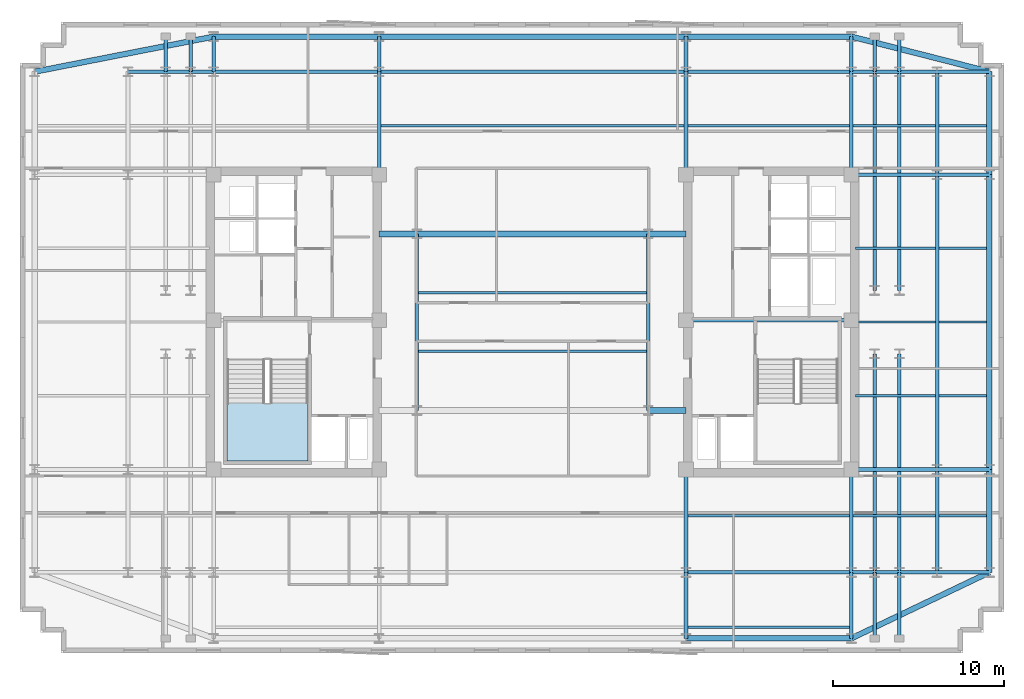
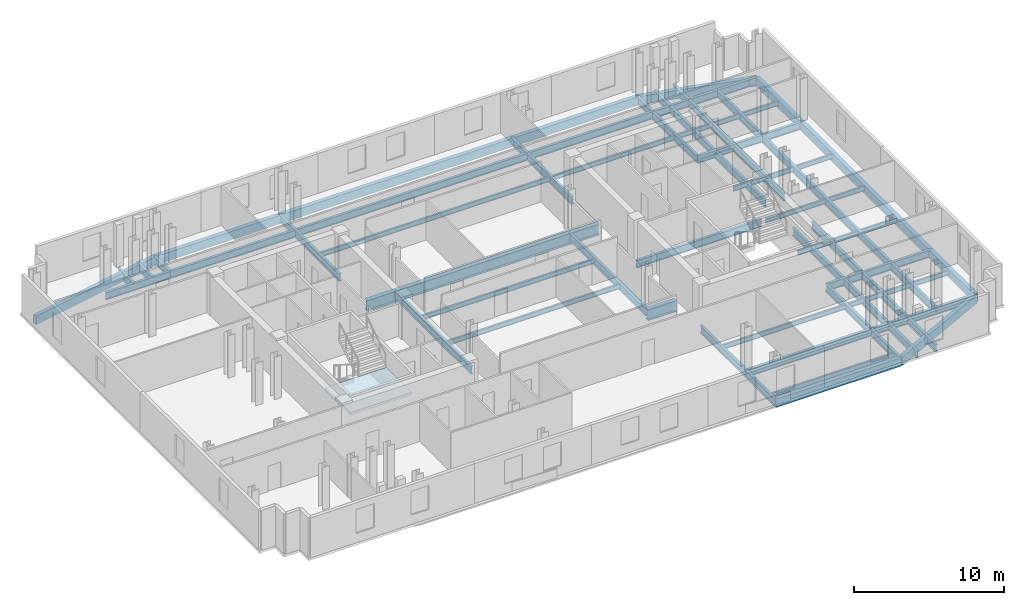
# One storey, part 2 of 9: 70 beams, 1 slab, 1 element without a shape of its own.
"""IFC4 building model written with IfcOpenShell, lengths in metres."""

import ifcopenshell
import ifcopenshell.guid

model = None  # the IFC model being written
_history = None  # IfcOwnerHistory: only IFC2X3 demands one
_inside = {}  # id of a spatial element -> (the spatial element, [elements in it])
_under = {}  # id of a project, library or spatial element -> (it, [spatial elements below it])
_declared = {}  # id of a project -> (the project, [libraries it declares])
_typed = {}  # id of a type object -> (the type object, [elements of that type])
_made_of = {}  # id of a material, layer set ... -> (it, [elements and type objects made of it])


def new_model(schema):
    """Start an empty IFC model of exactly this schema.

    Asked for "IFC4X3", IfcOpenShell would pick the latest addendum, in which some entities
    have other attributes; the version numbers below select the first issue.
    IFC2X3 requires an IfcOwnerHistory on every rooted entity: one is made here for all.
    """
    global model, _history
    if schema == "IFC4X3":
        model = ifcopenshell.file(schema_version=(4, 3, 0, 0))
    else:
        model = ifcopenshell.file(schema=schema)
    _inside.clear()
    _under.clear()
    _declared.clear()
    _typed.clear()
    _made_of.clear()
    _history = None
    if model.schema == "IFC2X3":
        org = make("IfcOrganization", Name="unknown")
        user = make(
            "IfcPersonAndOrganization",
            ThePerson=make("IfcPerson", FamilyName="unknown"),
            TheOrganization=org,
        )
        app = make(
            "IfcApplication",
            ApplicationDeveloper=org,
            Version="unknown",
            ApplicationFullName="unknown",
            ApplicationIdentifier="unknown",
        )
        _history = make(
            "IfcOwnerHistory",
            OwningUser=user,
            OwningApplication=app,
            ChangeAction="ADDED",
            CreationDate=0,
        )
    return model


def make(cls, **values):
    """One entity of the class cls with the attributes given. An attribute that is None is left unset."""
    return model.create_entity(
        cls, **{name: value for name, value in values.items() if value is not None}
    )


def rooted(cls, **values):
    """An entity with a GlobalId (a new one), such as an element, a storey or a relation."""
    return make(cls, GlobalId=ifcopenshell.guid.new(), OwnerHistory=_history, **values)


def si_unit(unit_type, name, prefix=None):
    """IfcSIUnit, for example si_unit("LENGTHUNIT", "METRE", prefix="MILLI")."""
    return make("IfcSIUnit", UnitType=unit_type, Prefix=prefix, Name=name)


def assignment(units):
    """IfcUnitAssignment: the units of a project."""
    return None if units is None else make("IfcUnitAssignment", Units=units)


def point(xyz):
    """IfcCartesianPoint."""
    return None if xyz is None else make("IfcCartesianPoint", Coordinates=xyz)


def direction(xyz):
    """IfcDirection."""
    return None if xyz is None else make("IfcDirection", DirectionRatios=xyz)


def frame(location, z_axis=None, x_axis=None):
    """IfcAxis2Placement3D, a coordinate frame: its origin and axes. An axis left out is left unset."""
    return make(
        "IfcAxis2Placement3D",
        Location=point(location),
        Axis=direction(z_axis),
        RefDirection=direction(x_axis),
    )


def frame_2d(location, x_axis=None):
    """IfcAxis2Placement2D, a coordinate frame in the plane: its origin and x axis."""
    return make(
        "IfcAxis2Placement2D", Location=point(location), RefDirection=direction(x_axis)
    )


def origin():
    """The frame at (0, 0, 0) with its axes left unset."""
    return frame((0.0, 0.0, 0.0))


def origin_2d():
    """The frame at (0, 0) in the plane with its x axis left unset."""
    return frame_2d((0.0, 0.0))


def place(relative_to, where):
    """IfcLocalPlacement: puts the frame where relative to a parent placement (None: the world)."""
    return make(
        "IfcLocalPlacement", PlacementRelTo=relative_to, RelativePlacement=where
    )


def context(
    kind, dimensions, precision=None, world=None, true_north=None, identifier=None
):
    """IfcGeometricRepresentationContext, for example the 3D "Model" context."""
    return make(
        "IfcGeometricRepresentationContext",
        ContextIdentifier=identifier,
        ContextType=kind,
        CoordinateSpaceDimension=dimensions,
        Precision=precision,
        WorldCoordinateSystem=world,
        TrueNorth=true_north,
    )


def subcontext(parent, identifier, kind, view, scale=None):
    """IfcGeometricRepresentationSubContext, for example "Body" below "Model"."""
    return make(
        "IfcGeometricRepresentationSubContext",
        ContextIdentifier=identifier,
        ContextType=kind,
        ParentContext=parent,
        TargetScale=scale,
        TargetView=view,
    )


def project(units=None, contexts=None):
    """IfcProject with its units and contexts."""
    return rooted(
        "IfcProject",
        Name="project",
        RepresentationContexts=contexts,
        UnitsInContext=assignment(units),
    )


def spatial(cls, under=None, at=None, **own):
    """A site, building, storey or space (cls), placed at a placement, below another one or the project."""
    s = rooted(cls, ObjectPlacement=at, **own)
    if under is not None:
        _under.setdefault(under.id(), (under, []))[1].append(s)
    return s


def polyline(points):
    """IfcPolyline through the points."""
    return make("IfcPolyline", Points=[point(p) for p in points])


def profile(cls, at=None, kind="AREA", **sizes):
    """A parametric profile (cls). Its sizes go by their IFC names, for example OverallWidth=200.0."""
    return make(cls, ProfileType=kind, Position=at, **sizes)


def rectangle(**sizes):
    """IfcRectangleProfileDef."""
    return profile("IfcRectangleProfileDef", **sizes)


def i_section(**sizes):
    """IfcIShapeProfileDef."""
    return profile("IfcIShapeProfileDef", **sizes)


def outline(outer, holes=None, kind="AREA"):
    """IfcArbitraryClosedProfileDef: a profile drawn as a closed curve; with holes, ...WithVoids."""
    if holes is None:
        return make("IfcArbitraryClosedProfileDef", ProfileType=kind, OuterCurve=outer)
    return make(
        "IfcArbitraryProfileDefWithVoids",
        ProfileType=kind,
        OuterCurve=outer,
        InnerCurves=holes,
    )


def extrude(swept, where, along, depth):
    """IfcExtrudedAreaSolid: the profile swept, set in the frame where, extruded along a direction by depth."""
    return make(
        "IfcExtrudedAreaSolid",
        SweptArea=swept,
        Position=where,
        ExtrudedDirection=direction(along),
        Depth=depth,
    )


def shape(context_of_items, identifier, shape_type, items):
    """IfcShapeRepresentation: the items that make up one representation, for example the "Body"."""
    return make(
        "IfcShapeRepresentation",
        ContextOfItems=context_of_items,
        RepresentationIdentifier=identifier,
        RepresentationType=shape_type,
        Items=items,
    )


def material(Name=None, Category=None):
    """IfcMaterial."""
    return make("IfcMaterial", Name=Name, Category=Category)


def layer(
    of_material, thickness, ventilated=None, Name=None, Category=None, Priority=None
):
    """IfcMaterialLayer: one layer of a wall or slab, of a material (None: an air gap)."""
    return make(
        "IfcMaterialLayer",
        Material=of_material,
        LayerThickness=thickness,
        IsVentilated=ventilated,
        Name=Name,
        Category=Category,
        Priority=Priority,
    )


def layer_set(layers, Name=None):
    """IfcMaterialLayerSet."""
    return make("IfcMaterialLayerSet", MaterialLayers=layers, LayerSetName=Name)


def material_profile(
    of_material, cross_section, Name=None, Category=None, Priority=None
):
    """IfcMaterialProfile: a cross section and its material."""
    return make(
        "IfcMaterialProfile",
        Name=Name,
        Material=of_material,
        Profile=cross_section,
        Priority=Priority,
        Category=Category,
    )


def profile_set(profiles, Name=None, composite=None):
    """IfcMaterialProfileSet."""
    return make(
        "IfcMaterialProfileSet",
        Name=Name,
        MaterialProfiles=profiles,
        CompositeProfile=composite,
    )


def made_of(thing, what):
    """Note that an element or type object is made of a material, layer set ...; save() writes the relation."""
    if what is not None:
        _made_of.setdefault(what.id(), (what, []))[1].append(thing)
    return thing


def type_object(cls, material=None, **own):
    """A type object (cls), such as IfcWallType, which elements share."""
    return made_of(rooted(cls, **own), material)


def element(
    cls,
    number,
    at=None,
    inside=None,
    cuts=None,
    type_object=None,
    material=None,
    context=None,
    identifier="Body",
    shape_type=None,
    held_by="IfcProductDefinitionShape",
    body=None,
    shapes=None,
    **own,
):
    """One element of the class cls, such as IfcWall. Its Tag is "e" and its number.

    at: its placement. inside: the storey or other place that contains it. cuts: it is an
    opening in that element (IfcRelVoidsElement). A single representation is given by context,
    identifier, shape_type and body (its items); several are given by shapes. held_by: the class
    of the entity that holds the representations. save() writes the other relations.
    """
    e = rooted(cls, Tag="e%d" % number, ObjectPlacement=at, **own)
    if body is not None:
        shapes = [shape(context, identifier, shape_type, body)]
    if shapes is not None:
        e.Representation = make(held_by, Representations=shapes)
    if inside is not None:
        _inside.setdefault(inside.id(), (inside, []))[1].append(e)
    if cuts is not None:
        rooted(
            "IfcRelVoidsElement", RelatingBuildingElement=cuts, RelatedOpeningElement=e
        )
    if type_object is not None:
        _typed.setdefault(type_object.id(), (type_object, []))[1].append(e)
    return made_of(e, material)


def aggregate(whole, parts):
    """IfcRelAggregates: a whole, such as a stair, and the parts it consists of."""
    return rooted("IfcRelAggregates", RelatingObject=whole, RelatedObjects=parts)


def save(model, path):
    """Write the relations noted so far, then the file.

    IfcRelAggregates (storeys below a building ...), IfcRelContainedInSpatialStructure (elements
    in a storey), IfcRelDefinesByType, IfcRelAssociatesMaterial and IfcRelDeclares: one each for
    every whole, place, type object, material and project.
    """
    for whole, parts in _under.values():
        aggregate(whole, parts)
    for where, things in _inside.values():
        rooted(
            "IfcRelContainedInSpatialStructure",
            RelatedElements=things,
            RelatingStructure=where,
        )
    for kind, things in _typed.values():
        rooted("IfcRelDefinesByType", RelatedObjects=things, RelatingType=kind)
    for what, things in _made_of.values():
        rooted("IfcRelAssociatesMaterial", RelatedObjects=things, RelatingMaterial=what)
    for by, libraries in _declared.values():
        rooted("IfcRelDeclares", RelatingContext=by, RelatedDefinitions=libraries)
    model.write(path)


model = new_model("IFC4")

# Units and contexts
model_context = context("Model", 3, precision=1e-05, world=origin(), true_north=direction((0.0, 1.0)))
body_context = subcontext(model_context, "Body", "Model", "MODEL_VIEW")
ifc_project = project(units=[si_unit("LENGTHUNIT", "METRE"), si_unit("AREAUNIT", "SQUARE_METRE"), si_unit("VOLUMEUNIT", "CUBIC_METRE"), si_unit("PLANEANGLEUNIT", "RADIAN"), si_unit("MASSUNIT", "GRAM", prefix="KILO")], contexts=[model_context])

# Site, building, storey
site_placement = place(None, origin())
site = spatial("IfcSite", under=ifc_project, at=site_placement, CompositionType="ELEMENT")
building_placement = place(site_placement, origin())
building = spatial("IfcBuilding", under=site, at=building_placement, Name="Velakula Bourse", CompositionType="ELEMENT")
storey_placement = place(building_placement, frame((0.0, 0.0, 215.39990234375)))
storey = spatial("IfcBuildingStorey", under=building, at=storey_placement, Name="L58", CompositionType="ELEMENT", Elevation=215.39990234375)

# Beams
ifc_material_1 = material(Name="Steel IS 2062 Grade 350 (E350)", Category="steel")
ifc_material_profile_1 = material_profile(ifc_material_1, i_section(OverallWidth=0.2099609375, OverallDepth=0.60009765625, WebThickness=0.011962890625, FlangeThickness=0.020751953125, at=origin_2d()), Name="Steel IS 2062 Grade 350 (E350)")
ifc_profile_set_1 = profile_set([ifc_material_profile_1], Name="Steel IS 2062 Grade 350 (E350)")
beam_type_1 = type_object("IfcBeamType", Name="BM-GRD-600L", PredefinedType="BEAM", material=ifc_profile_set_1)
beam_1_placement = place(storey_placement, frame((8.949951171875, 0.10009765625, -0.47998046875), z_axis=(1.0, 0.0, 0.0), x_axis=(0.0, 1.0, 0.0)))
element("IfcBeam", 1, at=beam_1_placement, inside=storey, type_object=beam_type_1, Name="L58 Primary Backbone Girder CRE-M", PredefinedType="BEAM", context=body_context, shape_type="SweptSolid", body=[
    extrude(i_section(OverallWidth=0.2099609375, OverallDepth=0.60009765625, WebThickness=0.011962890625, FlangeThickness=0.020751953125, at=origin_2d()), origin(), (0.0, 0.0, 1.0), 9.650146484375),
])
for number, where, z_axis, x_axis, name in (
    (2, (-6.75, -5.14990234375, -0.47998046875), (0.0, 1.0, 0.0), (-1.0, 0.0, 0.0), "L58 Primary Backbone Girder SPN-W"),
    (3, (6.75, -5.14990234375, -0.47998046875), (0.0, 1.0, 0.0), (-1.0, 0.0, 0.0), "L58 Primary Backbone Girder SPN-E"),
):
    element("IfcBeam", number, at=place(storey_placement, frame(where, z_axis=z_axis, x_axis=x_axis)), inside=storey, type_object=beam_type_1, Name=name, PredefinedType="BEAM", context=body_context, shape_type="SweptSolid", body=[
        extrude(i_section(OverallWidth=0.2099609375, OverallDepth=0.60009765625, WebThickness=0.011962890625, FlangeThickness=0.020751953125, at=origin_2d()), origin(), (0.0, 0.0, 1.0), 10.2998046875),
    ])
for number, where, z_axis, x_axis, name in (
    (4, (-8.949951171875, 8.60009765625, -0.47998046875), (0.0, 1.0, 0.0), (-1.0, 0.0, 0.0), "L58 Fulcrum Grid Girder FLC-WCN"),
    (5, (8.949951171875, -14.60009765625, -0.47998046875), (0.0, 1.0, 0.0), (-1.0, 0.0, 0.0), "L58 Fulcrum Grid Girder FLC-ECS"),
    (6, (8.949951171875, 8.60009765625, -0.47998046875), (0.0, 1.0, 0.0), (-1.0, 0.0, 0.0), "L58 Fulcrum Grid Girder FLC-ECN"),
    (7, (18.60009765625, -14.60009765625, -0.47998046875), (0.0, 1.0, 0.0), (-1.0, 0.0, 0.0), "L58 Fulcrum Grid Girder FLC-ES"),
    (8, (18.60009765625, 8.60009765625, -0.47998046875), (0.0, 1.0, 0.0), (-1.0, 0.0, 0.0), "L58 Fulcrum Grid Girder FLC-EN"),
):
    element("IfcBeam", number, at=place(storey_placement, frame(where, z_axis=z_axis, x_axis=x_axis)), inside=storey, type_object=beam_type_1, Name=name, PredefinedType="BEAM", context=body_context, shape_type="SweptSolid", body=[
        extrude(i_section(OverallWidth=0.2099609375, OverallDepth=0.60009765625, WebThickness=0.011962890625, FlangeThickness=0.020751953125, at=origin_2d()), origin(), (0.0, 0.0, 1.0), 6.0),
    ])
for number, where, z_axis, x_axis, name in (
    (9, (8.949951171875, -14.60009765625, -0.47998046875), (1.0, 0.0, 0.0), (0.0, 1.0, 0.0), "L58 Fulcrum Grid Girder FLC-S3"),
    (10, (-18.60009765625, 14.60009765625, -0.47998046875), (1.0, 0.0, 0.0), (0.0, 1.0, 0.0), "L58 Fulcrum Grid Girder FLC-N1"),
):
    element("IfcBeam", number, at=place(storey_placement, frame(where, z_axis=z_axis, x_axis=x_axis)), inside=storey, type_object=beam_type_1, Name=name, PredefinedType="BEAM", context=body_context, shape_type="SweptSolid", body=[
        extrude(i_section(OverallWidth=0.2099609375, OverallDepth=0.60009765625, WebThickness=0.011962890625, FlangeThickness=0.020751953125, at=origin_2d()), origin(), (0.0, 0.0, 1.0), 9.650146484375),
    ])
beam_2_placement = place(storey_placement, frame((-8.949951171875, 14.60009765625, -0.47998046875), z_axis=(1.0, 0.0, 0.0), x_axis=(0.0, 1.0, 0.0)))
element("IfcBeam", 11, at=beam_2_placement, inside=storey, type_object=beam_type_1, Name="L58 Fulcrum Grid Girder FLC-N2", PredefinedType="BEAM", context=body_context, shape_type="SweptSolid", body=[
    extrude(i_section(OverallWidth=0.2099609375, OverallDepth=0.60009765625, WebThickness=0.011962890625, FlangeThickness=0.020751953125, at=origin_2d()), origin(), (0.0, 0.0, 1.0), 17.89990234375),
])
beam_3_placement = place(storey_placement, frame((8.949951171875, 14.60009765625, -0.47998046875), z_axis=(1.0, 0.0, 0.0), x_axis=(0.0, 1.0, 0.0)))
element("IfcBeam", 12, at=beam_3_placement, inside=storey, type_object=beam_type_1, Name="L58 Fulcrum Grid Girder FLC-N3", PredefinedType="BEAM", context=body_context, shape_type="SweptSolid", body=[
    extrude(i_section(OverallWidth=0.2099609375, OverallDepth=0.60009765625, WebThickness=0.011962890625, FlangeThickness=0.020751953125, at=origin_2d()), origin(), (0.0, 0.0, 1.0), 9.650146484375),
])
for number, where, z_axis, x_axis, name in (
    (13, (19.949951171875, -14.60009765625, -0.47998046875), (0.0, 1.0, 0.0), (-1.0, 0.0, 0.0), "L58 Fulcrum Grid Girder FLC-PSE1"),
    (14, (19.949951171875, 1.85009765625, -0.47998046875), (0.0, 1.0, 0.0), (-1.0, 0.0, 0.0), "L58 Fulcrum Grid Girder FLC-PNE1"),
    (15, (21.39990234375, -14.60009765625, -0.47998046875), (0.0, 1.0, 0.0), (-1.0, 0.0, 0.0), "L58 Fulcrum Grid Girder FLC-PSE2"),
    (16, (21.39990234375, 1.85009765625, -0.47998046875), (0.0, 1.0, 0.0), (-1.0, 0.0, 0.0), "L58 Fulcrum Grid Girder FLC-PNE2"),
):
    element("IfcBeam", number, at=place(storey_placement, frame(where, z_axis=z_axis, x_axis=x_axis)), inside=storey, type_object=beam_type_1, Name=name, PredefinedType="BEAM", context=body_context, shape_type="SweptSolid", body=[
        extrude(i_section(OverallWidth=0.2099609375, OverallDepth=0.60009765625, WebThickness=0.011962890625, FlangeThickness=0.020751953125, at=origin_2d()), origin(), (0.0, 0.0, 1.0), 12.75),
    ])
for number, where, z_axis, x_axis, name in (
    (17, (-23.60009765625, 14.60009765625, -0.47998046875), (1.0, 0.0, 0.0), (0.0, 1.0, 0.0), "L58 Fulcrum Grid Girder MWG-WN2"),
    (18, (18.60009765625, -14.60009765625, -0.47998046875), (1.0, 0.0, 0.0), (0.0, 1.0, 0.0), "L58 Fulcrum Grid Girder MWG-ES1"),
    (19, (18.60009765625, -8.60009765625, -0.47998046875), (1.0, 0.0, 0.0), (0.0, 1.0, 0.0), "L58 Fulcrum Grid Girder MWG-ES2"),
    (20, (18.60009765625, 8.60009765625, -0.47998046875), (1.0, 0.0, 0.0), (0.0, 1.0, 0.0), "L58 Fulcrum Grid Girder MWG-EN1"),
    (21, (18.60009765625, 14.60009765625, -0.47998046875), (1.0, 0.0, 0.0), (0.0, 1.0, 0.0), "L58 Fulcrum Grid Girder MWG-EN2"),
):
    element("IfcBeam", number, at=place(storey_placement, frame(where, z_axis=z_axis, x_axis=x_axis)), inside=storey, type_object=beam_type_1, Name=name, PredefinedType="BEAM", context=body_context, shape_type="SweptSolid", body=[
        extrude(i_section(OverallWidth=0.2099609375, OverallDepth=0.60009765625, WebThickness=0.011962890625, FlangeThickness=0.020751953125, at=origin_2d()), origin(), (0.0, 0.0, 1.0), 5.0),
    ])
beam_4_placement = place(storey_placement, frame((23.60009765625, -14.60009765625, -0.47998046875), z_axis=(0.0, 1.0, 0.0), x_axis=(-1.0, 0.0, 0.0)))
element("IfcBeam", 22, at=beam_4_placement, inside=storey, type_object=beam_type_1, Name="L58 Fulcrum Grid Girder MWG-ENS1", PredefinedType="BEAM", context=body_context, shape_type="SweptSolid", body=[
    extrude(i_section(OverallWidth=0.2099609375, OverallDepth=0.60009765625, WebThickness=0.011962890625, FlangeThickness=0.020751953125, at=origin_2d()), origin(), (0.0, 0.0, 1.0), 6.0),
])
beam_5_placement = place(storey_placement, frame((23.60009765625, -8.60009765625, -0.47998046875), z_axis=(0.0, 1.0, 0.0), x_axis=(-1.0, 0.0, 0.0)))
element("IfcBeam", 23, at=beam_5_placement, inside=storey, type_object=beam_type_1, Name="L58 Fulcrum Grid Girder MWG-ENS2", PredefinedType="BEAM", context=body_context, shape_type="SweptSolid", body=[
    extrude(i_section(OverallWidth=0.2099609375, OverallDepth=0.60009765625, WebThickness=0.011962890625, FlangeThickness=0.020751953125, at=origin_2d()), origin(), (0.0, 0.0, 1.0), 17.2001953125),
])
beam_6_placement = place(storey_placement, frame((23.60009765625, 8.60009765625, -0.47998046875), z_axis=(0.0, 1.0, 0.0), x_axis=(-1.0, 0.0, 0.0)))
element("IfcBeam", 24, at=beam_6_placement, inside=storey, type_object=beam_type_1, Name="L58 Fulcrum Grid Girder MWG-ENS3", PredefinedType="BEAM", context=body_context, shape_type="SweptSolid", body=[
    extrude(i_section(OverallWidth=0.2099609375, OverallDepth=0.60009765625, WebThickness=0.011962890625, FlangeThickness=0.020751953125, at=origin_2d()), origin(), (0.0, 0.0, 1.0), 6.0),
])
for number, where, z_axis, x_axis, name in (
    (25, (8.949951171875, -14.60009765625, -0.47998046875), (0.0, -1.0, 0.0), (1.0, 0.0, 0.0), "L58 Perimeter Tie Girder S3"),
    (26, (18.60009765625, -14.60009765625, -0.47998046875), (0.0, -1.0, 0.0), (1.0, 0.0, 0.0), "L58 Perimeter Tie Girder S4"),
):
    element("IfcBeam", number, at=place(storey_placement, frame(where, z_axis=z_axis, x_axis=x_axis)), inside=storey, type_object=beam_type_1, Name=name, PredefinedType="BEAM", context=body_context, shape_type="SweptSolid", body=[
        extrude(i_section(OverallWidth=0.2099609375, OverallDepth=0.60009765625, WebThickness=0.011962890625, FlangeThickness=0.020751953125, at=origin_2d()), origin(), (0.0, 0.0, 1.0), 3.849853515625),
    ])
for number, where, z_axis, x_axis, name in (
    (27, (-18.60009765625, 14.60009765625, -0.47998046875), (0.0, 1.0, 0.0), (-1.0, 0.0, 0.0), "L58 Perimeter Tie Girder N1"),
    (28, (-8.949951171875, 14.60009765625, -0.47998046875), (0.0, 1.0, 0.0), (-1.0, 0.0, 0.0), "L58 Perimeter Tie Girder N2"),
    (29, (8.949951171875, 14.60009765625, -0.47998046875), (0.0, 1.0, 0.0), (-1.0, 0.0, 0.0), "L58 Perimeter Tie Girder N3"),
    (30, (18.60009765625, 14.60009765625, -0.47998046875), (0.0, 1.0, 0.0), (-1.0, 0.0, 0.0), "L58 Perimeter Tie Girder N4"),
):
    element("IfcBeam", number, at=place(storey_placement, frame(where, z_axis=z_axis, x_axis=x_axis)), inside=storey, type_object=beam_type_1, Name=name, PredefinedType="BEAM", context=body_context, shape_type="SweptSolid", body=[
        extrude(i_section(OverallWidth=0.2099609375, OverallDepth=0.60009765625, WebThickness=0.011962890625, FlangeThickness=0.020751953125, at=origin_2d()), origin(), (0.0, 0.0, 1.0), 2.0498046875),
    ])
for number, where, z_axis, x_axis, name in (
    (31, (23.60009765625, -14.60009765625, -0.47998046875), (1.0, 0.0, 0.0), (0.0, 1.0, 0.0), "L58 Perimeter Tie Girder E1"),
    (32, (23.60009765625, -8.60009765625, -0.47998046875), (1.0, 0.0, 0.0), (0.0, 1.0, 0.0), "L58 Perimeter Tie Girder E2"),
    (33, (23.60009765625, 8.60009765625, -0.47998046875), (1.0, 0.0, 0.0), (0.0, 1.0, 0.0), "L58 Perimeter Tie Girder E3"),
    (34, (23.60009765625, 14.60009765625, -0.47998046875), (1.0, 0.0, 0.0), (0.0, 1.0, 0.0), "L58 Perimeter Tie Girder E4"),
):
    element("IfcBeam", number, at=place(storey_placement, frame(where, z_axis=z_axis, x_axis=x_axis)), inside=storey, type_object=beam_type_1, Name=name, PredefinedType="BEAM", context=body_context, shape_type="SweptSolid", body=[
        extrude(i_section(OverallWidth=0.2099609375, OverallDepth=0.60009765625, WebThickness=0.011962890625, FlangeThickness=0.020751953125, at=origin_2d()), origin(), (0.0, 0.0, 1.0), 3.0498046875),
    ])
for number, where, z_axis, x_axis, name in (
    (35, (19.949951171875, -14.60009765625, -0.47998046875), (0.0, -1.0, 0.0), (1.0, 0.0, 0.0), "L58 Perimeter Tie Girder P03"),
    (36, (21.39990234375, -14.60009765625, -0.47998046875), (0.0, -1.0, 0.0), (1.0, 0.0, 0.0), "L58 Perimeter Tie Girder P04"),
):
    element("IfcBeam", number, at=place(storey_placement, frame(where, z_axis=z_axis, x_axis=x_axis)), inside=storey, type_object=beam_type_1, Name=name, PredefinedType="BEAM", context=body_context, shape_type="SweptSolid", body=[
        extrude(i_section(OverallWidth=0.2099609375, OverallDepth=0.60009765625, WebThickness=0.011962890625, FlangeThickness=0.020751953125, at=origin_2d()), origin(), (0.0, 0.0, 1.0), 3.849853515625),
    ])
for number, where, z_axis, x_axis, name in (
    (37, (-21.39990234375, 14.60009765625, -0.47998046875), (0.0, 1.0, 0.0), (-1.0, 0.0, 0.0), "L58 Perimeter Tie Girder P05"),
    (38, (-19.949951171875, 14.60009765625, -0.47998046875), (0.0, 1.0, 0.0), (-1.0, 0.0, 0.0), "L58 Perimeter Tie Girder P06"),
    (39, (19.949951171875, 14.60009765625, -0.47998046875), (0.0, 1.0, 0.0), (-1.0, 0.0, 0.0), "L58 Perimeter Tie Girder P07"),
    (40, (21.39990234375, 14.60009765625, -0.47998046875), (0.0, 1.0, 0.0), (-1.0, 0.0, 0.0), "L58 Perimeter Tie Girder P08"),
):
    element("IfcBeam", number, at=place(storey_placement, frame(where, z_axis=z_axis, x_axis=x_axis)), inside=storey, type_object=beam_type_1, Name=name, PredefinedType="BEAM", context=body_context, shape_type="SweptSolid", body=[
        extrude(i_section(OverallWidth=0.2099609375, OverallDepth=0.60009765625, WebThickness=0.011962890625, FlangeThickness=0.020751953125, at=origin_2d()), origin(), (0.0, 0.0, 1.0), 2.0498046875),
    ])
ifc_material_profile_2 = material_profile(ifc_material_1, i_section(OverallWidth=0.35009765625, OverallDepth=0.89990234375, WebThickness=0.02001953125, FlangeThickness=0.031982421875, at=origin_2d()), Name="Steel IS 2062 Grade 350 (E350)")
ifc_profile_set_2 = profile_set([ifc_material_profile_2], Name="Steel IS 2062 Grade 350 (E350)")
beam_type_2 = type_object("IfcBeamType", Name="BM-LNK-900", PredefinedType="BEAM", material=ifc_profile_set_2)
for number, where, z_axis, x_axis, name in (
    (41, (6.75, -5.14990234375, -0.6298828125), (1.0, 0.0, 0.0), (0.0, 1.0, 0.0), "L58 Primary Backbone Girder LNK-S3"),
    (42, (-8.949951171875, 5.14990234375, -0.6298828125), (1.0, 0.0, 0.0), (0.0, 1.0, 0.0), "L58 Primary Backbone Girder LNK-N1"),
):
    element("IfcBeam", number, at=place(storey_placement, frame(where, z_axis=z_axis, x_axis=x_axis)), inside=storey, type_object=beam_type_2, Name=name, PredefinedType="BEAM", context=body_context, shape_type="SweptSolid", body=[
        extrude(i_section(OverallWidth=0.35009765625, OverallDepth=0.89990234375, WebThickness=0.02001953125, FlangeThickness=0.031982421875, at=origin_2d()), origin(), (0.0, 0.0, 1.0), 2.199951171875),
    ])
beam_7_placement = place(storey_placement, frame((-6.75, 5.14990234375, -0.6298828125), z_axis=(1.0, 0.0, 0.0), x_axis=(0.0, 1.0, 0.0)))
element("IfcBeam", 43, at=beam_7_placement, inside=storey, type_object=beam_type_2, Name="L58 Primary Backbone Girder LNK-N2", PredefinedType="BEAM", context=body_context, shape_type="SweptSolid", body=[
    extrude(i_section(OverallWidth=0.35009765625, OverallDepth=0.89990234375, WebThickness=0.02001953125, FlangeThickness=0.031982421875, at=origin_2d()), origin(), (0.0, 0.0, 1.0), 13.5),
])
beam_8_placement = place(storey_placement, frame((6.75, 5.14990234375, -0.6298828125), z_axis=(1.0, 0.0, 0.0), x_axis=(0.0, 1.0, 0.0)))
element("IfcBeam", 44, at=beam_8_placement, inside=storey, type_object=beam_type_2, Name="L58 Primary Backbone Girder LNK-N3", PredefinedType="BEAM", context=body_context, shape_type="SweptSolid", body=[
    extrude(i_section(OverallWidth=0.35009765625, OverallDepth=0.89990234375, WebThickness=0.02001953125, FlangeThickness=0.031982421875, at=origin_2d()), origin(), (0.0, 0.0, 1.0), 2.199951171875),
])
ifc_material_profile_3 = material_profile(ifc_material_1, i_section(OverallWidth=0.139892578125, OverallDepth=0.39990234375, WebThickness=0.0087890625, FlangeThickness=0.01611328125, at=origin_2d()), Name="Steel IS 2062 Grade 350 (E350)")
ifc_profile_set_3 = profile_set([ifc_material_profile_3], Name="Steel IS 2062 Grade 350 (E350)")
beam_type_3 = type_object("IfcBeamType", Name="JST-TWR-400", PredefinedType="JOIST", material=ifc_profile_set_3)
for number, where, z_axis, x_axis, name in (
    (45, (9.054931640625, -17.800048828125, -0.3798828125), (1.0, 0.0, 0.0), (0.0, 1.0, 0.0), "L58 Trading Floor Composite Joist 03"),
    (46, (9.054931640625, -11.300048828125, -0.3798828125), (1.0, 0.0, 0.0), (0.0, 1.0, 0.0), "L58 Trading Floor Composite Joist 08"),
):
    element("IfcBeam", number, at=place(storey_placement, frame(where, z_axis=z_axis, x_axis=x_axis)), inside=storey, type_object=beam_type_3, Name=name, PredefinedType="JOIST", context=body_context, shape_type="SweptSolid", body=[
        extrude(i_section(OverallWidth=0.139892578125, OverallDepth=0.39990234375, WebThickness=0.0087890625, FlangeThickness=0.01611328125, at=origin_2d()), origin(), (0.0, 0.0, 1.0), 9.440185546875),
    ])
beam_9_placement = place(storey_placement, frame((18.705078125, -11.300048828125, -0.3798828125), z_axis=(1.0, 0.0, 0.0), x_axis=(0.0, 1.0, 0.0)))
element("IfcBeam", 47, at=beam_9_placement, inside=storey, type_object=beam_type_3, Name="L58 Trading Floor Composite Joist 09", PredefinedType="JOIST", context=body_context, shape_type="SweptSolid", body=[
    extrude(i_section(OverallWidth=0.139892578125, OverallDepth=0.39990234375, WebThickness=0.0087890625, FlangeThickness=0.01611328125, at=origin_2d()), origin(), (0.0, 0.0, 1.0), 4.7900390625),
])
beam_10_placement = place(storey_placement, frame((23.705078125, -11.300048828125, -0.3798828125), z_axis=(1.0, 0.0, 0.0), x_axis=(0.0, 1.0, 0.0)))
element("IfcBeam", 48, at=beam_10_placement, inside=storey, type_object=beam_type_3, Name="L58 Trading Floor Composite Joist 10", PredefinedType="JOIST", context=body_context, shape_type="SweptSolid", body=[
    extrude(i_section(OverallWidth=0.139892578125, OverallDepth=0.39990234375, WebThickness=0.0087890625, FlangeThickness=0.01611328125, at=origin_2d()), origin(), (0.0, 0.0, 1.0), 2.784912109375),
])
beam_11_placement = place(storey_placement, frame((-8.844970703125, 11.449951171875, -0.3798828125), z_axis=(1.0, 0.0, 0.0), x_axis=(0.0, 1.0, 0.0)))
element("IfcBeam", 49, at=beam_11_placement, inside=storey, type_object=beam_type_3, Name="L58 Trading Floor Composite Joist 14", PredefinedType="JOIST", context=body_context, shape_type="SweptSolid", body=[
    extrude(i_section(OverallWidth=0.139892578125, OverallDepth=0.39990234375, WebThickness=0.0087890625, FlangeThickness=0.01611328125, at=origin_2d()), origin(), (0.0, 0.0, 1.0), 17.68994140625),
])
beam_12_placement = place(storey_placement, frame((9.054931640625, 11.449951171875, -0.3798828125), z_axis=(1.0, 0.0, 0.0), x_axis=(0.0, 1.0, 0.0)))
element("IfcBeam", 50, at=beam_12_placement, inside=storey, type_object=beam_type_3, Name="L58 Trading Floor Composite Joist 15", PredefinedType="JOIST", context=body_context, shape_type="SweptSolid", body=[
    extrude(i_section(OverallWidth=0.139892578125, OverallDepth=0.39990234375, WebThickness=0.0087890625, FlangeThickness=0.01611328125, at=origin_2d()), origin(), (0.0, 0.0, 1.0), 9.440185546875),
])
beam_13_placement = place(storey_placement, frame((18.705078125, 11.449951171875, -0.3798828125), z_axis=(1.0, 0.0, 0.0), x_axis=(0.0, 1.0, 0.0)))
element("IfcBeam", 51, at=beam_13_placement, inside=storey, type_object=beam_type_3, Name="L58 Trading Floor Composite Joist 16", PredefinedType="JOIST", context=body_context, shape_type="SweptSolid", body=[
    extrude(i_section(OverallWidth=0.139892578125, OverallDepth=0.39990234375, WebThickness=0.0087890625, FlangeThickness=0.01611328125, at=origin_2d()), origin(), (0.0, 0.0, 1.0), 4.7900390625),
])
beam_14_placement = place(storey_placement, frame((23.705078125, 11.449951171875, -0.3798828125), z_axis=(1.0, 0.0, 0.0), x_axis=(0.0, 1.0, 0.0)))
element("IfcBeam", 52, at=beam_14_placement, inside=storey, type_object=beam_type_3, Name="L58 Trading Floor Composite Joist 17", PredefinedType="JOIST", context=body_context, shape_type="SweptSolid", body=[
    extrude(i_section(OverallWidth=0.139892578125, OverallDepth=0.39990234375, WebThickness=0.0087890625, FlangeThickness=0.01611328125, at=origin_2d()), origin(), (0.0, 0.0, 1.0), 2.784912109375),
])
for number, where, z_axis, x_axis, name in (
    (53, (-6.64501953125, -1.699951171875, -0.3798828125), (1.0, 0.0, 0.0), (0.0, 1.0, 0.0), "L58 Trading Floor Composite Joist 18"),
    (54, (-6.64501953125, 1.699951171875, -0.3798828125), (1.0, 0.0, 0.0), (0.0, 1.0, 0.0), "L58 Trading Floor Composite Joist 19"),
):
    element("IfcBeam", number, at=place(storey_placement, frame(where, z_axis=z_axis, x_axis=x_axis)), inside=storey, type_object=beam_type_3, Name=name, PredefinedType="JOIST", context=body_context, shape_type="SweptSolid", body=[
        extrude(i_section(OverallWidth=0.139892578125, OverallDepth=0.39990234375, WebThickness=0.0087890625, FlangeThickness=0.01611328125, at=origin_2d()), origin(), (0.0, 0.0, 1.0), 13.2900390625),
    ])
beam_15_placement = place(storey_placement, frame((18.85009765625, -4.300048828125, -0.3798828125), z_axis=(1.0, 0.0, 0.0), x_axis=(0.0, 1.0, 0.0)))
element("IfcBeam", 55, at=beam_15_placement, inside=storey, type_object=beam_type_3, Name="L58 Trading Floor Composite Joist 22", PredefinedType="JOIST", context=body_context, shape_type="SweptSolid", body=[
    extrude(i_section(OverallWidth=0.139892578125, OverallDepth=0.39990234375, WebThickness=0.0087890625, FlangeThickness=0.01611328125, at=origin_2d()), origin(), (0.0, 0.0, 1.0), 4.64501953125),
])
beam_16_placement = place(storey_placement, frame((23.705078125, -4.300048828125, -0.3798828125), z_axis=(1.0, 0.0, 0.0), x_axis=(0.0, 1.0, 0.0)))
element("IfcBeam", 56, at=beam_16_placement, inside=storey, type_object=beam_type_3, Name="L58 Trading Floor Composite Joist 23", PredefinedType="JOIST", context=body_context, shape_type="SweptSolid", body=[
    extrude(i_section(OverallWidth=0.139892578125, OverallDepth=0.39990234375, WebThickness=0.0087890625, FlangeThickness=0.01611328125, at=origin_2d()), origin(), (0.0, 0.0, 1.0), 2.784912109375),
])
beam_17_placement = place(storey_placement, frame((18.85009765625, 0.0, -0.3798828125), z_axis=(1.0, 0.0, 0.0), x_axis=(0.0, 1.0, 0.0)))
element("IfcBeam", 57, at=beam_17_placement, inside=storey, type_object=beam_type_3, Name="L58 Trading Floor Composite Joist 26", PredefinedType="JOIST", context=body_context, shape_type="SweptSolid", body=[
    extrude(i_section(OverallWidth=0.139892578125, OverallDepth=0.39990234375, WebThickness=0.0087890625, FlangeThickness=0.01611328125, at=origin_2d()), origin(), (0.0, 0.0, 1.0), 4.64501953125),
])
beam_18_placement = place(storey_placement, frame((23.705078125, 0.0, -0.3798828125), z_axis=(1.0, 0.0, 0.0), x_axis=(0.0, 1.0, 0.0)))
element("IfcBeam", 58, at=beam_18_placement, inside=storey, type_object=beam_type_3, Name="L58 Trading Floor Composite Joist 27", PredefinedType="JOIST", context=body_context, shape_type="SweptSolid", body=[
    extrude(i_section(OverallWidth=0.139892578125, OverallDepth=0.39990234375, WebThickness=0.0087890625, FlangeThickness=0.01611328125, at=origin_2d()), origin(), (0.0, 0.0, 1.0), 2.784912109375),
])
beam_19_placement = place(storey_placement, frame((18.85009765625, 4.300048828125, -0.3798828125), z_axis=(1.0, 0.0, 0.0), x_axis=(0.0, 1.0, 0.0)))
element("IfcBeam", 59, at=beam_19_placement, inside=storey, type_object=beam_type_3, Name="L58 Trading Floor Composite Joist 30", PredefinedType="JOIST", context=body_context, shape_type="SweptSolid", body=[
    extrude(i_section(OverallWidth=0.139892578125, OverallDepth=0.39990234375, WebThickness=0.0087890625, FlangeThickness=0.01611328125, at=origin_2d()), origin(), (0.0, 0.0, 1.0), 4.64501953125),
])
beam_20_placement = place(storey_placement, frame((23.705078125, 4.300048828125, -0.3798828125), z_axis=(1.0, 0.0, 0.0), x_axis=(0.0, 1.0, 0.0)))
element("IfcBeam", 60, at=beam_20_placement, inside=storey, type_object=beam_type_3, Name="L58 Trading Floor Composite Joist 31", PredefinedType="JOIST", context=body_context, shape_type="SweptSolid", body=[
    extrude(i_section(OverallWidth=0.139892578125, OverallDepth=0.39990234375, WebThickness=0.0087890625, FlangeThickness=0.01611328125, at=origin_2d()), origin(), (0.0, 0.0, 1.0), 2.784912109375),
])
ifc_material_2 = material(Name="Precast concrete M45 (fck 45 MPa)", Category="concrete")
ifc_material_profile_4 = material_profile(ifc_material_2, rectangle(XDim=0.320068359375, YDim=0.679931640625, at=origin_2d()), Name="Precast concrete M45 (fck 45 MPa)")
ifc_profile_set_4 = profile_set([ifc_material_profile_4], Name="Precast concrete M45 (fck 45 MPa)")
beam_type_4 = type_object("IfcBeamType", Name="SPN-BRICK-680", PredefinedType="SPANDREL", material=ifc_profile_set_4)
for number, where, z_axis, x_axis, name in (
    (61, (8.949951171875, -18.449951171875, -0.52001953125), (1.0, 0.0, 0.0), (0.0, 1.0, 0.0), "L58 Brick-Faced Precast Spandrel S3-S4"),
    (62, (-18.60009765625, 16.64990234375, -0.52001953125), (1.0, 0.0, 0.0), (0.0, 1.0, 0.0), "L58 Brick-Faced Precast Spandrel N1-N2"),
):
    element("IfcBeam", number, at=place(storey_placement, frame(where, z_axis=z_axis, x_axis=x_axis)), inside=storey, type_object=beam_type_4, Name=name, PredefinedType="SPANDREL", context=body_context, shape_type="SweptSolid", body=[
        extrude(rectangle(XDim=0.320068359375, YDim=0.679931640625, at=origin_2d()), origin(), (0.0, 0.0, 1.0), 9.650146484375),
    ])
beam_21_placement = place(storey_placement, frame((-8.949951171875, 16.64990234375, -0.52001953125), z_axis=(1.0, 0.0, 0.0), x_axis=(0.0, 1.0, 0.0)))
element("IfcBeam", 63, at=beam_21_placement, inside=storey, type_object=beam_type_4, Name="L58 Brick-Faced Precast Spandrel N2-N3", PredefinedType="SPANDREL", context=body_context, shape_type="SweptSolid", body=[
    extrude(rectangle(XDim=0.320068359375, YDim=0.679931640625, at=origin_2d()), origin(), (0.0, 0.0, 1.0), 17.89990234375),
])
beam_22_placement = place(storey_placement, frame((8.949951171875, 16.64990234375, -0.52001953125), z_axis=(1.0, 0.0, 0.0), x_axis=(0.0, 1.0, 0.0)))
element("IfcBeam", 64, at=beam_22_placement, inside=storey, type_object=beam_type_4, Name="L58 Brick-Faced Precast Spandrel N3-N4", PredefinedType="SPANDREL", context=body_context, shape_type="SweptSolid", body=[
    extrude(rectangle(XDim=0.320068359375, YDim=0.679931640625, at=origin_2d()), origin(), (0.0, 0.0, 1.0), 9.650146484375),
])
beam_23_placement = place(storey_placement, frame((26.64990234375, -14.60009765625, -0.52001953125), z_axis=(0.0, 1.0, 0.0), x_axis=(-1.0, 0.0, 0.0)))
element("IfcBeam", 65, at=beam_23_placement, inside=storey, type_object=beam_type_4, Name="L58 Brick-Faced Precast Spandrel E1-E2", PredefinedType="SPANDREL", context=body_context, shape_type="SweptSolid", body=[
    extrude(rectangle(XDim=0.320068359375, YDim=0.679931640625, at=origin_2d()), origin(), (0.0, 0.0, 1.0), 6.0),
])
beam_24_placement = place(storey_placement, frame((26.64990234375, -8.60009765625, -0.52001953125), z_axis=(0.0, 1.0, 0.0), x_axis=(-1.0, 0.0, 0.0)))
element("IfcBeam", 66, at=beam_24_placement, inside=storey, type_object=beam_type_4, Name="L58 Brick-Faced Precast Spandrel E2-E3", PredefinedType="SPANDREL", context=body_context, shape_type="SweptSolid", body=[
    extrude(rectangle(XDim=0.320068359375, YDim=0.679931640625, at=origin_2d()), origin(), (0.0, 0.0, 1.0), 17.2001953125),
])
beam_25_placement = place(storey_placement, frame((26.64990234375, 8.60009765625, -0.52001953125), z_axis=(0.0, 1.0, 0.0), x_axis=(-1.0, 0.0, 0.0)))
element("IfcBeam", 67, at=beam_25_placement, inside=storey, type_object=beam_type_4, Name="L58 Brick-Faced Precast Spandrel E3-E4", PredefinedType="SPANDREL", context=body_context, shape_type="SweptSolid", body=[
    extrude(rectangle(XDim=0.320068359375, YDim=0.679931640625, at=origin_2d()), origin(), (0.0, 0.0, 1.0), 6.0),
])
beam_26_placement = place(storey_placement, frame((18.60009765625, -18.449951171875, -0.52001953125), z_axis=(0.902136536758, 0.431450656561, 0.0), x_axis=(-0.431450656561, 0.902136536758, 0.0)))
element("IfcBeam", 68, at=beam_26_placement, inside=storey, type_object=beam_type_4, Name="L58 Brick-Faced Precast Spandrel S4-E1", PredefinedType="SPANDREL", context=body_context, shape_type="SweptSolid", body=[
    extrude(rectangle(XDim=0.320068359375, YDim=0.679931640625, at=origin_2d()), origin(), (0.0, 0.0, 1.0), 8.923095703125),
])
beam_27_placement = place(storey_placement, frame((26.64990234375, 14.60009765625, -0.52001953125), z_axis=(-0.969075197656, 0.246765599888, 0.0), x_axis=(-0.246765599888, -0.969075197656, 0.0)))
element("IfcBeam", 69, at=beam_27_placement, inside=storey, type_object=beam_type_4, Name="L58 Brick-Faced Precast Spandrel E4-N4", PredefinedType="SPANDREL", context=body_context, shape_type="SweptSolid", body=[
    extrude(rectangle(XDim=0.320068359375, YDim=0.679931640625, at=origin_2d()), origin(), (0.0, 0.0, 1.0), 8.306640625),
])
beam_28_placement = place(storey_placement, frame((-18.60009765625, 16.64990234375, -0.52001953125), z_axis=(-0.981299657048, -0.192486319197, 0.0), x_axis=(0.192486319197, -0.981299657048, 0.0)))
element("IfcBeam", 70, at=beam_28_placement, inside=storey, type_object=beam_type_4, Name="L58 Brick-Faced Precast Spandrel N1-W4", PredefinedType="SPANDREL", context=body_context, shape_type="SweptSolid", body=[
    extrude(rectangle(XDim=0.320068359375, YDim=0.679931640625, at=origin_2d()), origin(), (0.0, 0.0, 1.0), 10.649169921875),
])

# Stair, slab
ifc_material_3 = material(Name="Concrete M45 (fck 45 MPa)", Category="concrete")
stair_type = type_object("IfcStairType", Name="STR-DOG-390", PredefinedType="HALF_TURN_STAIR", material=ifc_material_3)
stair_placement = place(storey_placement, origin())
stair = element("IfcStair", 71, at=stair_placement, inside=storey, type_object=stair_type, Name="L58 West Core Exit Stair ST-W1", PredefinedType="HALF_TURN_STAIR")
ifc_layer = layer(ifc_material_3, 0.199951171875, Name="Concrete M45 (fck 45 MPa)", Category="concrete")
ifc_layer_set = layer_set([ifc_layer], Name="Concrete M45 (fck 45 MPa)")
slab_type = type_object("IfcSlabType", Name="SLB-STAIR-LND-200", PredefinedType="LANDING", material=ifc_layer_set)
slab_placement = place(storey_placement, frame((0.0, 0.0, 1.525146484375)))
slab = element("IfcSlab", 72, at=slab_placement, type_object=slab_type, Name="ST-W1 landing 1", PredefinedType="LANDING", context=body_context, shape_type="SweptSolid", body=[
    extrude(outline(polyline([(-17.820068359375, -4.719970703125), (-17.820068359375, -8.10009765625), (-13.10009765625, -8.10009765625), (-13.10009765625, -4.719970703125), (-17.820068359375, -4.719970703125)])), origin(), (0.0, 0.0, 1.0), 0.199951171875),
])
aggregate(stair, [slab])

save(model, "model.ifc")
